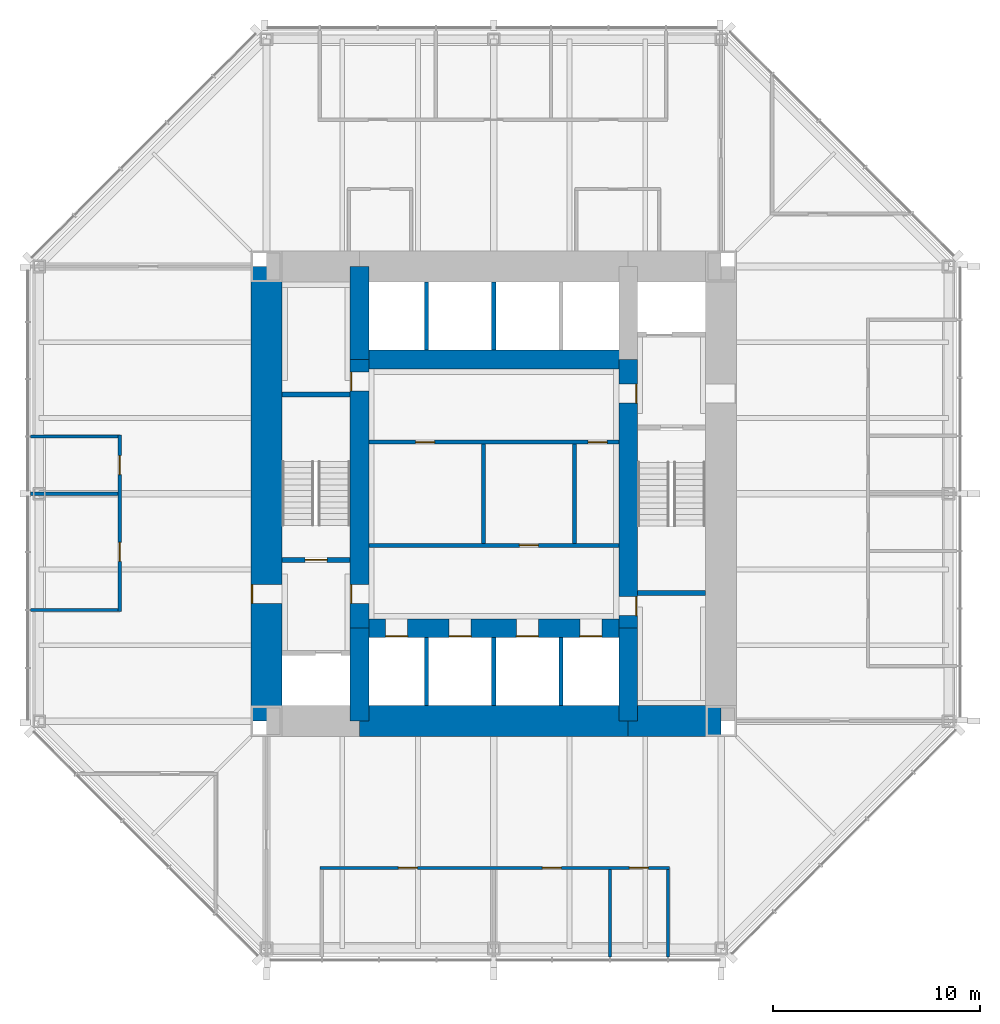
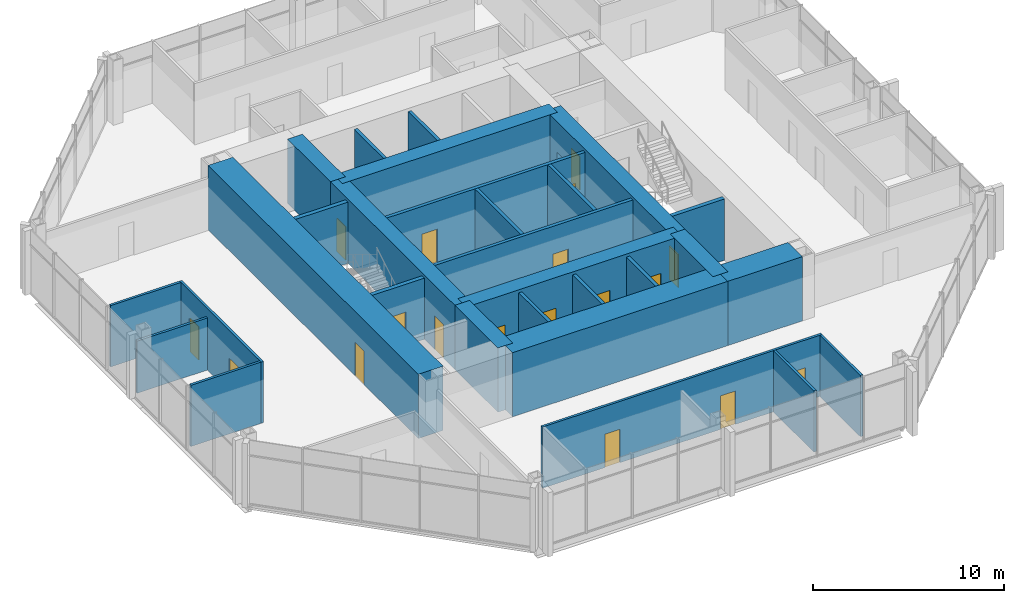
# One storey, part 9 of 12: 29 walls, 18 doors, 18 openings.
"""IFC4 building model written with IfcOpenShell, lengths in metres."""

from ifc_helpers import new_model, si_unit, direction, frame, frame_2d, origin, place, context, subcontext, project, spatial, rectangle, extrude, material, layer, layer_set, type_object, element, fill, save


model = new_model("IFC4")

# Units and contexts
model_context = context("Model", 3, precision=1e-05, world=origin(), true_north=direction((0.0, 1.0)))
body_context = subcontext(model_context, "Body", "Model", "MODEL_VIEW")
ifc_project = project(units=[si_unit("LENGTHUNIT", "METRE"), si_unit("AREAUNIT", "SQUARE_METRE"), si_unit("VOLUMEUNIT", "CUBIC_METRE"), si_unit("PLANEANGLEUNIT", "RADIAN"), si_unit("MASSUNIT", "GRAM", prefix="KILO")], contexts=[model_context])

# Site, building, storey
site_placement = place(None, origin())
site = spatial("IfcSite", under=ifc_project, at=site_placement, CompositionType="ELEMENT")
building_placement = place(site_placement, origin())
building = spatial("IfcBuilding", under=site, at=building_placement, Name="Trevanion Tower", CompositionType="ELEMENT")
storey_placement = place(building_placement, frame((0.0, 0.0, 158.199951171875)))
storey = spatial("IfcBuildingStorey", under=building, at=storey_placement, Name="L37", CompositionType="ELEMENT", Elevation=158.199951171875)

# Wall, opening, door
ifc_material_1 = material(Name="Concrete 10,000 psi", Category="concrete")
ifc_layer_1 = layer(ifc_material_1, 1.5)
ifc_layer_set_1 = layer_set([ifc_layer_1], Name="CW1 core wall 1500")
wall_type_1 = type_object("IfcWallType", Name="CW1 core wall 1500", PredefinedType="SHEAR", material=ifc_layer_set_1)
wall_1_placement = place(storey_placement, frame((-11.0, 11.0, 0.0), z_axis=(0.0, 0.0, 1.0), x_axis=(0.0, -1.0, 0.0)))
wall_1 = element("IfcWall", 1, at=wall_1_placement, inside=storey, type_object=wall_type_1, Name="CW1 CW L37", PredefinedType="SHEAR", context=body_context, shape_type="SweptSolid", body=[
    extrude(rectangle(XDim=22.0, YDim=1.5, at=frame_2d((11.0, 0.0))), origin(), (0.0, 0.0, 1.0), 4.10009765625),
])
opening_1_placement = place(wall_1_placement, frame((15.392578125, 0.0, 0.0)))
opening_1 = element("IfcOpeningElement", 2, at=opening_1_placement, cuts=wall_1, Name="Opening 37-002", PredefinedType="OPENING", context=body_context, shape_type="SweptSolid", body=[
    extrude(rectangle(XDim=0.9150390625, YDim=2.134033203125, at=frame_2d((0.45751953125, 1.06689453125))), frame((0.0, 0.760009765625, 0.0), z_axis=(0.0, -1.0, 0.0), x_axis=(1.0, 0.0, 0.0)), (0.0, 0.0, 1.0), 1.52001953125),
])
ifc_material_2 = material(Name="Hollow metal, fire rated", Category="steel")
door_type_1 = type_object("IfcDoorType", Name="D3 fire lift lobby door", OperationType="SINGLE_SWING_RIGHT", PredefinedType="DOOR", material=ifc_material_2)
door_1_placement = place(opening_1_placement, origin())
door_1 = element("IfcDoor", 3, at=door_1_placement, inside=storey, type_object=door_type_1, Name="Door 37-002", OperationType="SINGLE_SWING_RIGHT", OverallHeight=2.134033203125, OverallWidth=0.9150390625, PredefinedType="DOOR", context=body_context, shape_type="SweptSolid", body=[
    extrude(rectangle(XDim=0.9150390625, YDim=2.134033203125, at=frame_2d((0.45751953125, 1.06689453125))), frame((0.0, -0.6748046875, 0.0), z_axis=(0.0, -1.0, 0.0), x_axis=(1.0, 0.0, 0.0)), (0.0, 0.0, 1.0), 0.050048828125),
])
fill(opening_1, door_1)

# Walls
wall_2_placement = place(storey_placement, frame((-6.5, -11.0, 0.0), z_axis=(0.0, 0.0, 1.0), x_axis=(1.0, 0.0, 0.0)))
element("IfcWall", 4, at=wall_2_placement, inside=storey, type_object=wall_type_1, Name="CW1 CS2 L37", PredefinedType="SHEAR", context=body_context, shape_type="SweptSolid", body=[
    extrude(rectangle(XDim=13.0, YDim=1.5, at=frame_2d((6.5, 0.0))), origin(), (0.0, 0.0, 1.0), 4.10009765625),
])
wall_3_placement = place(storey_placement, frame((6.5, -11.0, 0.0), z_axis=(0.0, 0.0, 1.0), x_axis=(1.0, 0.0, 0.0)))
element("IfcWall", 5, at=wall_3_placement, inside=storey, type_object=wall_type_1, Name="CW1 CS3 L37", PredefinedType="SHEAR", context=body_context, shape_type="SweptSolid", body=[
    extrude(rectangle(XDim=4.5, YDim=1.5, at=frame_2d((2.25, 0.0))), origin(), (0.0, 0.0, 1.0), 4.10009765625),
])
ifc_material_3 = material(Name="Concrete 10,000 psi", Category="concrete")
ifc_layer_2 = layer(ifc_material_3, 0.89990234375)
ifc_layer_set_2 = layer_set([ifc_layer_2], Name="CW2 core wall 900")
wall_type_2 = type_object("IfcWallType", Name="CW2 core wall 900", PredefinedType="SHEAR", material=ifc_layer_set_2)
wall_4_placement = place(storey_placement, frame((6.5, -11.0, 0.0), z_axis=(0.0, 0.0, 1.0), x_axis=(0.0, 1.0, 0.0)))
element("IfcWall", 6, at=wall_4_placement, inside=storey, type_object=wall_type_2, Name="CW2 RE1 L37", PredefinedType="SHEAR", context=body_context, shape_type="SweptSolid", body=[
    extrude(rectangle(XDim=4.5, YDim=0.89990234375, at=frame_2d((2.25, 0.0))), origin(), (0.0, 0.0, 1.0), 4.10009765625),
])

# Wall, openings, doors
wall_5_placement = place(storey_placement, frame((6.5, -6.5, 0.0), z_axis=(0.0, 0.0, 1.0), x_axis=(0.0, 1.0, 0.0)))
wall_5 = element("IfcWall", 7, at=wall_5_placement, inside=storey, type_object=wall_type_2, Name="CW2 RE2 L37", PredefinedType="SHEAR", context=body_context, shape_type="SweptSolid", body=[
    extrude(rectangle(XDim=13.0, YDim=0.89990234375, at=frame_2d((6.5, 0.0))), origin(), (0.0, 0.0, 1.0), 4.10009765625),
])
opening_2_placement = place(wall_5_placement, frame((10.892578125, 0.0, 0.0)))
opening_2 = element("IfcOpeningElement", 8, at=opening_2_placement, cuts=wall_5, Name="Opening 37-003", PredefinedType="OPENING", context=body_context, shape_type="SweptSolid", body=[
    extrude(rectangle(XDim=0.9150390625, YDim=2.134033203125, at=frame_2d((0.45751953125, 1.06689453125))), frame((0.0, 0.4599609375, 0.0), z_axis=(0.0, -1.0, 0.0), x_axis=(1.0, 0.0, 0.0)), (0.0, 0.0, 1.0), 0.919921875),
])
opening_3_placement = place(wall_5_placement, frame((0.610107421875, 0.0, 0.0)))
opening_3 = element("IfcOpeningElement", 9, at=opening_3_placement, cuts=wall_5, Name="Opening 37-009", PredefinedType="OPENING", context=body_context, shape_type="SweptSolid", body=[
    extrude(rectangle(XDim=0.9150390625, YDim=2.134033203125, at=frame_2d((0.45751953125, 1.06689453125))), frame((0.0, 0.4599609375, 0.0), z_axis=(0.0, -1.0, 0.0), x_axis=(1.0, 0.0, 0.0)), (0.0, 0.0, 1.0), 0.919921875),
])
door_2_placement = place(opening_2_placement, origin())
door_2 = element("IfcDoor", 10, at=door_2_placement, inside=storey, type_object=door_type_1, Name="Door 37-003", OperationType="SINGLE_SWING_RIGHT", OverallHeight=2.134033203125, OverallWidth=0.9150390625, PredefinedType="DOOR", context=body_context, shape_type="SweptSolid", body=[
    extrude(rectangle(XDim=0.9150390625, YDim=2.134033203125, at=frame_2d((0.45751953125, 1.06689453125))), frame((0.0, -0.375, 0.0), z_axis=(0.0, -1.0, 0.0), x_axis=(1.0, 0.0, 0.0)), (0.0, 0.0, 1.0), 0.050048828125),
])
fill(opening_2, door_2)
ifc_material_4 = material(Name="Hollow metal, fire rated", Category="steel")
door_type_2 = type_object("IfcDoorType", Name="D5 service room door", OperationType="SINGLE_SWING_RIGHT", PredefinedType="DOOR", material=ifc_material_4)
door_3_placement = place(opening_3_placement, origin())
door_3 = element("IfcDoor", 11, at=door_3_placement, inside=storey, type_object=door_type_2, Name="Door 37-009", OperationType="SINGLE_SWING_RIGHT", OverallHeight=2.134033203125, OverallWidth=0.9150390625, PredefinedType="DOOR", context=body_context, shape_type="SweptSolid", body=[
    extrude(rectangle(XDim=0.9150390625, YDim=2.134033203125, at=frame_2d((0.45751953125, 1.06689453125))), frame((0.0, -0.375, 0.0), z_axis=(0.0, -1.0, 0.0), x_axis=(1.0, 0.0, 0.0)), (0.0, 0.0, 1.0), 0.050048828125),
])
fill(opening_3, door_3)

# Wall
wall_6_placement = place(storey_placement, frame((-6.5, 11.0, 0.0), z_axis=(0.0, 0.0, 1.0), x_axis=(0.0, -1.0, 0.0)))
element("IfcWall", 12, at=wall_6_placement, inside=storey, type_object=wall_type_2, Name="CW2 RW1 L37", PredefinedType="SHEAR", context=body_context, shape_type="SweptSolid", body=[
    extrude(rectangle(XDim=4.5, YDim=0.89990234375, at=frame_2d((2.25, 0.0))), origin(), (0.0, 0.0, 1.0), 4.10009765625),
])

# Wall, openings, doors
wall_7_placement = place(storey_placement, frame((-6.5, 6.5, 0.0), z_axis=(0.0, 0.0, 1.0), x_axis=(0.0, -1.0, 0.0)))
wall_7 = element("IfcWall", 13, at=wall_7_placement, inside=storey, type_object=wall_type_2, Name="CW2 RW2 L37", PredefinedType="SHEAR", context=body_context, shape_type="SweptSolid", body=[
    extrude(rectangle(XDim=13.0, YDim=0.89990234375, at=frame_2d((6.5, 0.0))), origin(), (0.0, 0.0, 1.0), 4.10009765625),
])
opening_4_placement = place(wall_7_placement, frame((10.892578125, 0.0, 0.0)))
opening_4 = element("IfcOpeningElement", 14, at=opening_4_placement, cuts=wall_7, Name="Opening 37-004", PredefinedType="OPENING", context=body_context, shape_type="SweptSolid", body=[
    extrude(rectangle(XDim=0.9150390625, YDim=2.134033203125, at=frame_2d((0.45751953125, 1.06689453125))), frame((0.0, 0.4599609375, 0.0), z_axis=(0.0, -1.0, 0.0), x_axis=(1.0, 0.0, 0.0)), (0.0, 0.0, 1.0), 0.919921875),
])
opening_5_placement = place(wall_7_placement, frame((0.610107421875, 0.0, 0.0)))
opening_5 = element("IfcOpeningElement", 15, at=opening_5_placement, cuts=wall_7, Name="Opening 37-010", PredefinedType="OPENING", context=body_context, shape_type="SweptSolid", body=[
    extrude(rectangle(XDim=0.9150390625, YDim=2.134033203125, at=frame_2d((0.45751953125, 1.06689453125))), frame((0.0, 0.4599609375, 0.0), z_axis=(0.0, -1.0, 0.0), x_axis=(1.0, 0.0, 0.0)), (0.0, 0.0, 1.0), 0.919921875),
])
door_4_placement = place(opening_4_placement, origin())
door_4 = element("IfcDoor", 16, at=door_4_placement, inside=storey, type_object=door_type_1, Name="Door 37-004", OperationType="SINGLE_SWING_RIGHT", OverallHeight=2.134033203125, OverallWidth=0.9150390625, PredefinedType="DOOR", context=body_context, shape_type="SweptSolid", body=[
    extrude(rectangle(XDim=0.9150390625, YDim=2.134033203125, at=frame_2d((0.45751953125, 1.06689453125))), frame((0.0, -0.375, 0.0), z_axis=(0.0, -1.0, 0.0), x_axis=(1.0, 0.0, 0.0)), (0.0, 0.0, 1.0), 0.050048828125),
])
fill(opening_4, door_4)
door_5_placement = place(opening_5_placement, origin())
door_5 = element("IfcDoor", 17, at=door_5_placement, inside=storey, type_object=door_type_2, Name="Door 37-010", OperationType="SINGLE_SWING_RIGHT", OverallHeight=2.134033203125, OverallWidth=0.9150390625, PredefinedType="DOOR", context=body_context, shape_type="SweptSolid", body=[
    extrude(rectangle(XDim=0.9150390625, YDim=2.134033203125, at=frame_2d((0.45751953125, 1.06689453125))), frame((0.0, -0.375, 0.0), z_axis=(0.0, -1.0, 0.0), x_axis=(1.0, 0.0, 0.0)), (0.0, 0.0, 1.0), 0.050048828125),
])
fill(opening_5, door_5)

# Walls
wall_8_placement = place(storey_placement, frame((-6.5, -6.5, 0.0), z_axis=(0.0, 0.0, 1.0), x_axis=(0.0, -1.0, 0.0)))
element("IfcWall", 18, at=wall_8_placement, inside=storey, type_object=wall_type_2, Name="CW2 RW3 L37", PredefinedType="SHEAR", context=body_context, shape_type="SweptSolid", body=[
    extrude(rectangle(XDim=4.5, YDim=0.89990234375, at=frame_2d((2.25, 0.0))), origin(), (0.0, 0.0, 1.0), 4.10009765625),
])
wall_9_placement = place(storey_placement, frame((6.5, 6.5, 0.0), z_axis=(0.0, 0.0, 1.0), x_axis=(-1.0, 0.0, 0.0)))
element("IfcWall", 19, at=wall_9_placement, inside=storey, type_object=wall_type_2, Name="CW2 RN L37", PredefinedType="SHEAR", context=body_context, shape_type="SweptSolid", body=[
    extrude(rectangle(XDim=13.0, YDim=0.89990234375, at=frame_2d((6.5, 0.0))), origin(), (0.0, 0.0, 1.0), 4.10009765625),
])

# Wall, openings, doors
wall_10_placement = place(storey_placement, frame((-6.5, -6.5, 0.0), z_axis=(0.0, 0.0, 1.0), x_axis=(1.0, 0.0, 0.0)))
wall_10 = element("IfcWall", 20, at=wall_10_placement, inside=storey, type_object=wall_type_2, Name="CW2 RS L37", PredefinedType="SHEAR", context=body_context, shape_type="SweptSolid", body=[
    extrude(rectangle(XDim=13.0, YDim=0.89990234375, at=frame_2d((6.5, 0.0))), origin(), (0.0, 0.0, 1.0), 4.10009765625),
])
opening_6_placement = place(wall_10_placement, frame((1.2666015625, 0.0, 0.0)))
opening_6 = element("IfcOpeningElement", 21, at=opening_6_placement, cuts=wall_10, Name="Opening 37-011", PredefinedType="OPENING", context=body_context, shape_type="SweptSolid", body=[
    extrude(rectangle(XDim=1.06689453125, YDim=2.134033203125, at=frame_2d((0.533447265625, 1.06689453125))), frame((0.0, 0.4599609375, 0.0), z_axis=(0.0, -1.0, 0.0), x_axis=(1.0, 0.0, 0.0)), (0.0, 0.0, 1.0), 0.919921875),
])
opening_7_placement = place(wall_10_placement, frame((4.341552734375, 0.0, 0.0)))
opening_7 = element("IfcOpeningElement", 22, at=opening_7_placement, cuts=wall_10, Name="Opening 37-012", PredefinedType="OPENING", context=body_context, shape_type="SweptSolid", body=[
    extrude(rectangle(XDim=1.06689453125, YDim=2.134033203125, at=frame_2d((0.533447265625, 1.06689453125))), frame((0.0, 0.4599609375, 0.0), z_axis=(0.0, -1.0, 0.0), x_axis=(1.0, 0.0, 0.0)), (0.0, 0.0, 1.0), 0.919921875),
])
opening_8_placement = place(wall_10_placement, frame((7.591552734375, 0.0, 0.0)))
opening_8 = element("IfcOpeningElement", 23, at=opening_8_placement, cuts=wall_10, Name="Opening 37-013", PredefinedType="OPENING", context=body_context, shape_type="SweptSolid", body=[
    extrude(rectangle(XDim=1.06689453125, YDim=2.134033203125, at=frame_2d((0.533447265625, 1.06689453125))), frame((0.0, 0.4599609375, 0.0), z_axis=(0.0, -1.0, 0.0), x_axis=(1.0, 0.0, 0.0)), (0.0, 0.0, 1.0), 0.919921875),
])
opening_9_placement = place(wall_10_placement, frame((10.66650390625, 0.0, 0.0)))
opening_9 = element("IfcOpeningElement", 24, at=opening_9_placement, cuts=wall_10, Name="Opening 37-014", PredefinedType="OPENING", context=body_context, shape_type="SweptSolid", body=[
    extrude(rectangle(XDim=1.06689453125, YDim=2.134033203125, at=frame_2d((0.533447265625, 1.06689453125))), frame((0.0, 0.4599609375, 0.0), z_axis=(0.0, -1.0, 0.0), x_axis=(1.0, 0.0, 0.0)), (0.0, 0.0, 1.0), 0.919921875),
])
ifc_material_5 = material(Name="Stainless steel, fire rated", Category="steel")
door_type_3 = type_object("IfcDoorType", Name="LD1 lift landing door", OperationType="SLIDING_TO_LEFT", PredefinedType="DOOR", material=ifc_material_5)
door_6_placement = place(opening_6_placement, origin())
door_6 = element("IfcDoor", 25, at=door_6_placement, inside=storey, type_object=door_type_3, Name="Door 37-011", OperationType="SLIDING_TO_LEFT", OverallHeight=2.134033203125, OverallWidth=1.06689453125, PredefinedType="DOOR", context=body_context, shape_type="SweptSolid", body=[
    extrude(rectangle(XDim=1.06689453125, YDim=2.134033203125, at=frame_2d((0.533447265625, 1.06689453125))), frame((0.0, -0.375, 0.0), z_axis=(0.0, -1.0, 0.0), x_axis=(1.0, 0.0, 0.0)), (0.0, 0.0, 1.0), 0.050048828125),
])
fill(opening_6, door_6)
door_7_placement = place(opening_7_placement, origin())
door_7 = element("IfcDoor", 26, at=door_7_placement, inside=storey, type_object=door_type_3, Name="Door 37-012", OperationType="SLIDING_TO_LEFT", OverallHeight=2.134033203125, OverallWidth=1.06689453125, PredefinedType="DOOR", context=body_context, shape_type="SweptSolid", body=[
    extrude(rectangle(XDim=1.06689453125, YDim=2.134033203125, at=frame_2d((0.533447265625, 1.06689453125))), frame((0.0, -0.375, 0.0), z_axis=(0.0, -1.0, 0.0), x_axis=(1.0, 0.0, 0.0)), (0.0, 0.0, 1.0), 0.050048828125),
])
fill(opening_7, door_7)
door_8_placement = place(opening_8_placement, origin())
door_8 = element("IfcDoor", 27, at=door_8_placement, inside=storey, type_object=door_type_3, Name="Door 37-013", OperationType="SLIDING_TO_LEFT", OverallHeight=2.134033203125, OverallWidth=1.06689453125, PredefinedType="DOOR", context=body_context, shape_type="SweptSolid", body=[
    extrude(rectangle(XDim=1.06689453125, YDim=2.134033203125, at=frame_2d((0.533447265625, 1.06689453125))), frame((0.0, -0.375, 0.0), z_axis=(0.0, -1.0, 0.0), x_axis=(1.0, 0.0, 0.0)), (0.0, 0.0, 1.0), 0.050048828125),
])
fill(opening_8, door_8)
door_9_placement = place(opening_9_placement, origin())
door_9 = element("IfcDoor", 28, at=door_9_placement, inside=storey, type_object=door_type_3, Name="Door 37-014", OperationType="SLIDING_TO_LEFT", OverallHeight=2.134033203125, OverallWidth=1.06689453125, PredefinedType="DOOR", context=body_context, shape_type="SweptSolid", body=[
    extrude(rectangle(XDim=1.06689453125, YDim=2.134033203125, at=frame_2d((0.533447265625, 1.06689453125))), frame((0.0, -0.375, 0.0), z_axis=(0.0, -1.0, 0.0), x_axis=(1.0, 0.0, 0.0)), (0.0, 0.0, 1.0), 0.050048828125),
])
fill(opening_9, door_9)

ifc_material_6 = material(Name="Gypsum board on steel studs", Category="steel")
ifc_layer_3 = layer(ifc_material_6, 0.14990234375)
ifc_layer_set_3 = layer_set([ifc_layer_3], Name="PT1 partition 150")
wall_type_3 = type_object("IfcWallType", Name="PT1 partition 150", PredefinedType="PARTITIONING", material=ifc_layer_set_3)
wall_11_placement = place(storey_placement, frame((-8.39794921875, -18.10009765625, 0.0), z_axis=(0.0, 0.0, 1.0), x_axis=(1.0, 0.0, 0.0)))
wall_11 = element("IfcWall", 29, at=wall_11_placement, inside=storey, type_object=wall_type_3, Name="PT1 L37 FC3F", PredefinedType="PARTITIONING", context=body_context, shape_type="SweptSolid", body=[
    extrude(rectangle(XDim=16.89404296875, YDim=0.14990234375, at=frame_2d((8.447021484375, 0.0))), origin(), (0.0, 0.0, 1.0), 3.91015625),
])
opening_10_placement = place(wall_11_placement, frame((3.779052734375, 0.0, 0.0)))
opening_10 = element("IfcOpeningElement", 30, at=opening_10_placement, cuts=wall_11, Name="Opening 37-027", PredefinedType="OPENING", context=body_context, shape_type="SweptSolid", body=[
    extrude(rectangle(XDim=0.9150390625, YDim=2.134033203125, at=frame_2d((0.45751953125, 1.06689453125))), frame((0.0, 0.0849609375, 0.0), z_axis=(0.0, -1.0, 0.0), x_axis=(1.0, 0.0, 0.0)), (0.0, 0.0, 1.0), 0.169921875),
])
opening_11_placement = place(wall_11_placement, frame((10.74755859375, 0.0, 0.0)))
opening_11 = element("IfcOpeningElement", 31, at=opening_11_placement, cuts=wall_11, Name="Opening 37-028", PredefinedType="OPENING", context=body_context, shape_type="SweptSolid", body=[
    extrude(rectangle(XDim=0.9150390625, YDim=2.134033203125, at=frame_2d((0.45751953125, 1.06689453125))), frame((0.0, 0.0849609375, 0.0), z_axis=(0.0, -1.0, 0.0), x_axis=(1.0, 0.0, 0.0)), (0.0, 0.0, 1.0), 0.169921875),
])
opening_12_placement = place(wall_11_placement, frame((14.9580078125, 0.0, 0.0)))
opening_12 = element("IfcOpeningElement", 32, at=opening_12_placement, cuts=wall_11, Name="Opening 37-029", PredefinedType="OPENING", context=body_context, shape_type="SweptSolid", body=[
    extrude(rectangle(XDim=0.9150390625, YDim=2.134033203125, at=frame_2d((0.45751953125, 1.06689453125))), frame((0.0, 0.0849609375, 0.0), z_axis=(0.0, -1.0, 0.0), x_axis=(1.0, 0.0, 0.0)), (0.0, 0.0, 1.0), 0.169921875),
])
ifc_material_7 = material(Name="Timber veneer, solid core", Category="wood")
door_type_4 = type_object("IfcDoorType", Name="D1 office and meeting room door", OperationType="SINGLE_SWING_LEFT", PredefinedType="DOOR", material=ifc_material_7)
door_10_placement = place(opening_10_placement, origin())
door_10 = element("IfcDoor", 33, at=door_10_placement, inside=storey, type_object=door_type_4, Name="Door 37-027", OperationType="SINGLE_SWING_LEFT", OverallHeight=2.134033203125, OverallWidth=0.9150390625, PredefinedType="DOOR", context=body_context, shape_type="SweptSolid", body=[
    extrude(rectangle(XDim=0.9150390625, YDim=2.134033203125, at=frame_2d((0.45751953125, 1.06689453125))), frame((0.0, 0.02490234375, 0.0), z_axis=(0.0, -1.0, 0.0), x_axis=(1.0, 0.0, 0.0)), (0.0, 0.0, 1.0), 0.050048828125),
])
fill(opening_10, door_10)
door_11_placement = place(opening_11_placement, origin())
door_11 = element("IfcDoor", 34, at=door_11_placement, inside=storey, type_object=door_type_4, Name="Door 37-028", OperationType="SINGLE_SWING_LEFT", OverallHeight=2.134033203125, OverallWidth=0.9150390625, PredefinedType="DOOR", context=body_context, shape_type="SweptSolid", body=[
    extrude(rectangle(XDim=0.9150390625, YDim=2.134033203125, at=frame_2d((0.45751953125, 1.06689453125))), frame((0.0, 0.02490234375, 0.0), z_axis=(0.0, -1.0, 0.0), x_axis=(1.0, 0.0, 0.0)), (0.0, 0.0, 1.0), 0.050048828125),
])
fill(opening_11, door_11)
door_12_placement = place(opening_12_placement, origin())
door_12 = element("IfcDoor", 35, at=door_12_placement, inside=storey, type_object=door_type_4, Name="Door 37-029", OperationType="SINGLE_SWING_LEFT", OverallHeight=2.134033203125, OverallWidth=0.9150390625, PredefinedType="DOOR", context=body_context, shape_type="SweptSolid", body=[
    extrude(rectangle(XDim=0.9150390625, YDim=2.134033203125, at=frame_2d((0.45751953125, 1.06689453125))), frame((0.0, 0.02490234375, 0.0), z_axis=(0.0, -1.0, 0.0), x_axis=(1.0, 0.0, 0.0)), (0.0, 0.0, 1.0), 0.050048828125),
])
fill(opening_12, door_12)

# Walls
for number, where, z_axis, x_axis, name in (
    (36, (5.614013671875, -18.175048828125, 0.0), (0.0, 0.0, 1.0), (0.0, -1.0, 0.0), "PT1 L37 FC3S5"),
    (37, (8.4208984375, -18.175048828125, 0.0), (0.0, 0.0, 1.0), (0.0, -1.0, 0.0), "PT1 L37 FC3S6"),
):
    element("IfcWall", number, at=place(storey_placement, frame(where, z_axis=z_axis, x_axis=x_axis)), inside=storey, type_object=wall_type_3, Name=name, PredefinedType="PARTITIONING", context=body_context, shape_type="SweptSolid", body=[
        extrude(rectangle(XDim=4.239990234375, YDim=0.14990234375, at=frame_2d((2.1201171875, 0.0))), origin(), (0.0, 0.0, 1.0), 3.91015625),
    ])

# Wall, openings, doors
wall_12_placement = place(storey_placement, frame((-18.10009765625, 2.85009765625, 0.0), z_axis=(0.0, 0.0, 1.0), x_axis=(0.0, -1.0, 0.0)))
wall_12 = element("IfcWall", 38, at=wall_12_placement, inside=storey, type_object=wall_type_3, Name="PT1 L37 FC2F", PredefinedType="PARTITIONING", context=body_context, shape_type="SweptSolid", body=[
    extrude(rectangle(XDim=8.5390625, YDim=0.14990234375, at=frame_2d((4.26953125, 0.0))), origin(), (0.0, 0.0, 1.0), 3.91015625),
])
opening_13_placement = place(wall_12_placement, frame((1.0048828125, 0.0, 0.0)))
opening_13 = element("IfcOpeningElement", 39, at=opening_13_placement, cuts=wall_12, Name="Opening 37-034", PredefinedType="OPENING", context=body_context, shape_type="SweptSolid", body=[
    extrude(rectangle(XDim=0.9150390625, YDim=2.134033203125, at=frame_2d((0.45751953125, 1.06689453125))), frame((0.0, 0.0849609375, 0.0), z_axis=(0.0, -1.0, 0.0), x_axis=(1.0, 0.0, 0.0)), (0.0, 0.0, 1.0), 0.169921875),
])
opening_14_placement = place(wall_12_placement, frame((5.199462890625, 0.0, 0.0)))
opening_14 = element("IfcOpeningElement", 40, at=opening_14_placement, cuts=wall_12, Name="Opening 37-035", PredefinedType="OPENING", context=body_context, shape_type="SweptSolid", body=[
    extrude(rectangle(XDim=0.9150390625, YDim=2.134033203125, at=frame_2d((0.45751953125, 1.06689453125))), frame((0.0, 0.0849609375, 0.0), z_axis=(0.0, -1.0, 0.0), x_axis=(1.0, 0.0, 0.0)), (0.0, 0.0, 1.0), 0.169921875),
])
door_13_placement = place(opening_13_placement, origin())
door_13 = element("IfcDoor", 41, at=door_13_placement, inside=storey, type_object=door_type_4, Name="Door 37-034", OperationType="SINGLE_SWING_LEFT", OverallHeight=2.134033203125, OverallWidth=0.9150390625, PredefinedType="DOOR", context=body_context, shape_type="SweptSolid", body=[
    extrude(rectangle(XDim=0.9150390625, YDim=2.134033203125, at=frame_2d((0.45751953125, 1.06689453125))), frame((0.0, 0.02490234375, 0.0), z_axis=(0.0, -1.0, 0.0), x_axis=(1.0, 0.0, 0.0)), (0.0, 0.0, 1.0), 0.050048828125),
])
fill(opening_13, door_13)
door_14_placement = place(opening_14_placement, origin())
door_14 = element("IfcDoor", 42, at=door_14_placement, inside=storey, type_object=door_type_4, Name="Door 37-035", OperationType="SINGLE_SWING_LEFT", OverallHeight=2.134033203125, OverallWidth=0.9150390625, PredefinedType="DOOR", context=body_context, shape_type="SweptSolid", body=[
    extrude(rectangle(XDim=0.9150390625, YDim=2.134033203125, at=frame_2d((0.45751953125, 1.06689453125))), frame((0.0, 0.02490234375, 0.0), z_axis=(0.0, -1.0, 0.0), x_axis=(1.0, 0.0, 0.0)), (0.0, 0.0, 1.0), 0.050048828125),
])
fill(opening_14, door_14)

# Walls
wall_13_placement = place(storey_placement, frame((-18.175048828125, 2.77490234375, 0.0), z_axis=(0.0, 0.0, 1.0), x_axis=(-1.0, 0.0, 0.0)))
element("IfcWall", 43, at=wall_13_placement, inside=storey, type_object=wall_type_3, Name="PT1 L37 FC2S0", PredefinedType="PARTITIONING", context=body_context, shape_type="SweptSolid", body=[
    extrude(rectangle(XDim=4.239990234375, YDim=0.14990234375, at=frame_2d((2.1201171875, 0.0))), origin(), (0.0, 0.0, 1.0), 3.91015625),
])
wall_14_placement = place(storey_placement, frame((-18.175048828125, 0.0, 0.0), z_axis=(0.0, 0.0, 1.0), x_axis=(-1.0, 0.0, 0.0)))
element("IfcWall", 44, at=wall_14_placement, inside=storey, type_object=wall_type_3, Name="PT1 L37 FC2S1", PredefinedType="PARTITIONING", context=body_context, shape_type="SweptSolid", body=[
    extrude(rectangle(XDim=4.239990234375, YDim=0.14990234375, at=frame_2d((2.1201171875, 0.0))), origin(), (0.0, 0.0, 1.0), 3.325927734375),
])
wall_15_placement = place(storey_placement, frame((-18.175048828125, -5.614013671875, 0.0), z_axis=(0.0, 0.0, 1.0), x_axis=(-1.0, 0.0, 0.0)))
element("IfcWall", 45, at=wall_15_placement, inside=storey, type_object=wall_type_3, Name="PT1 L37 FC2S3", PredefinedType="PARTITIONING", context=body_context, shape_type="SweptSolid", body=[
    extrude(rectangle(XDim=4.239990234375, YDim=0.14990234375, at=frame_2d((2.1201171875, 0.0))), origin(), (0.0, 0.0, 1.0), 3.91015625),
])
ifc_material_8 = material(Name="Concrete masonry, grouted", Category="masonry")
ifc_layer_4 = layer(ifc_material_8, 0.199951171875)
ifc_layer_set_4 = layer_set([ifc_layer_4], Name="PT2 partition 200")
wall_type_4 = type_object("IfcWallType", Name="PT2 partition 200", PredefinedType="PARTITIONING", material=ifc_layer_set_4)
for number, where, z_axis, x_axis, name in (
    (46, (-0.5, -2.39990234375, 0.0), (0.0, 0.0, 1.0), (0.0, 1.0, 0.0), "PT2 L37 TP1"),
    (47, (3.89990234375, -2.39990234375, 0.0), (0.0, 0.0, 1.0), (0.0, 1.0, 0.0), "PT2 L37 TP2"),
):
    element("IfcWall", number, at=place(storey_placement, frame(where, z_axis=z_axis, x_axis=x_axis)), inside=storey, type_object=wall_type_4, Name=name, PredefinedType="PARTITIONING", context=body_context, shape_type="SweptSolid", body=[
        extrude(rectangle(XDim=4.7998046875, YDim=0.199951171875, at=frame_2d((2.39990234375, 0.0))), origin(), (0.0, 0.0, 1.0), 3.91015625),
    ])

# Wall, openings, doors
ifc_material_9 = material(Name="Concrete masonry, grouted", Category="masonry")
ifc_layer_5 = layer(ifc_material_9, 0.199951171875)
ifc_layer_set_5 = layer_set([ifc_layer_5], Name="PT2 partition 200 1 HR")
wall_type_5 = type_object("IfcWallType", Name="PT2 partition 200 1 HR", PredefinedType="PARTITIONING", material=ifc_layer_set_5)
wall_16_placement = place(storey_placement, frame((-6.050048828125, 2.5, 0.0), z_axis=(0.0, 0.0, 1.0), x_axis=(1.0, 0.0, 0.0)))
wall_16 = element("IfcWall", 48, at=wall_16_placement, inside=storey, type_object=wall_type_5, Name="PT2 L37 CP1", PredefinedType="PARTITIONING", context=body_context, shape_type="SweptSolid", body=[
    extrude(rectangle(XDim=12.10009765625, YDim=0.199951171875, at=frame_2d((6.050048828125, 0.0))), origin(), (0.0, 0.0, 1.0), 3.91015625),
])
opening_15_placement = place(wall_16_placement, frame((2.267578125, 0.0, 0.0)))
opening_15 = element("IfcOpeningElement", 49, at=opening_15_placement, cuts=wall_16, Name="Opening 37-015", PredefinedType="OPENING", context=body_context, shape_type="SweptSolid", body=[
    extrude(rectangle(XDim=0.9150390625, YDim=2.134033203125, at=frame_2d((0.45751953125, 1.06689453125))), frame((0.0, 0.10986328125, 0.0), z_axis=(0.0, -1.0, 0.0), x_axis=(1.0, 0.0, 0.0)), (0.0, 0.0, 1.0), 0.219970703125),
])
opening_16_placement = place(wall_16_placement, frame((10.617431640625, 0.0, 0.0)))
opening_16 = element("IfcOpeningElement", 50, at=opening_16_placement, cuts=wall_16, Name="Opening 37-017", PredefinedType="OPENING", context=body_context, shape_type="SweptSolid", body=[
    extrude(rectangle(XDim=0.9150390625, YDim=2.134033203125, at=frame_2d((0.45751953125, 1.06689453125))), frame((0.0, 0.10986328125, 0.0), z_axis=(0.0, -1.0, 0.0), x_axis=(1.0, 0.0, 0.0)), (0.0, 0.0, 1.0), 0.219970703125),
])
ifc_material_10 = material(Name="Plastic laminate on fire-rated core", Category="wood")
door_type_5 = type_object("IfcDoorType", Name="D12 toilet door in a one hour wall", OperationType="SINGLE_SWING_LEFT", PredefinedType="DOOR", material=ifc_material_10)
door_15_placement = place(opening_15_placement, origin())
door_15 = element("IfcDoor", 51, at=door_15_placement, inside=storey, type_object=door_type_5, Name="Door 37-015", OperationType="SINGLE_SWING_LEFT", OverallHeight=2.134033203125, OverallWidth=0.9150390625, PredefinedType="DOOR", context=body_context, shape_type="SweptSolid", body=[
    extrude(rectangle(XDim=0.9150390625, YDim=2.134033203125, at=frame_2d((0.45751953125, 1.06689453125))), frame((0.0, 0.02490234375, 0.0), z_axis=(0.0, -1.0, 0.0), x_axis=(1.0, 0.0, 0.0)), (0.0, 0.0, 1.0), 0.050048828125),
])
fill(opening_15, door_15)
door_16_placement = place(opening_16_placement, origin())
door_16 = element("IfcDoor", 52, at=door_16_placement, inside=storey, type_object=door_type_5, Name="Door 37-017", OperationType="SINGLE_SWING_LEFT", OverallHeight=2.134033203125, OverallWidth=0.9150390625, PredefinedType="DOOR", context=body_context, shape_type="SweptSolid", body=[
    extrude(rectangle(XDim=0.9150390625, YDim=2.134033203125, at=frame_2d((0.45751953125, 1.06689453125))), frame((0.0, 0.02490234375, 0.0), z_axis=(0.0, -1.0, 0.0), x_axis=(1.0, 0.0, 0.0)), (0.0, 0.0, 1.0), 0.050048828125),
])
fill(opening_16, door_16)

# Wall, opening, door
wall_17_placement = place(storey_placement, frame((6.050048828125, -2.5, 0.0), z_axis=(0.0, 0.0, 1.0), x_axis=(-1.0, 0.0, 0.0)))
wall_17 = element("IfcWall", 53, at=wall_17_placement, inside=storey, type_object=wall_type_5, Name="PT2 L37 CP2", PredefinedType="PARTITIONING", context=body_context, shape_type="SweptSolid", body=[
    extrude(rectangle(XDim=12.10009765625, YDim=0.199951171875, at=frame_2d((6.050048828125, 0.0))), origin(), (0.0, 0.0, 1.0), 3.91015625),
])
opening_17_placement = place(wall_17_placement, frame((3.892578125, 0.0, 0.0)))
opening_17 = element("IfcOpeningElement", 54, at=opening_17_placement, cuts=wall_17, Name="Opening 37-016", PredefinedType="OPENING", context=body_context, shape_type="SweptSolid", body=[
    extrude(rectangle(XDim=0.9150390625, YDim=2.134033203125, at=frame_2d((0.45751953125, 1.06689453125))), frame((0.0, 0.10986328125, 0.0), z_axis=(0.0, -1.0, 0.0), x_axis=(1.0, 0.0, 0.0)), (0.0, 0.0, 1.0), 0.219970703125),
])
door_17_placement = place(opening_17_placement, origin())
door_17 = element("IfcDoor", 55, at=door_17_placement, inside=storey, type_object=door_type_5, Name="Door 37-016", OperationType="SINGLE_SWING_LEFT", OverallHeight=2.134033203125, OverallWidth=0.9150390625, PredefinedType="DOOR", context=body_context, shape_type="SweptSolid", body=[
    extrude(rectangle(XDim=0.9150390625, YDim=2.134033203125, at=frame_2d((0.45751953125, 1.06689453125))), frame((0.0, 0.02490234375, 0.0), z_axis=(0.0, -1.0, 0.0), x_axis=(1.0, 0.0, 0.0)), (0.0, 0.0, 1.0), 0.050048828125),
])
fill(opening_17, door_17)

# Walls
ifc_material_11 = material(Name="Concrete masonry, grouted", Category="masonry")
ifc_layer_6 = layer(ifc_material_11, 0.199951171875)
ifc_layer_set_6 = layer_set([ifc_layer_6], Name="PT2 partition 200 2 HR")
wall_type_6 = type_object("IfcWallType", Name="PT2 partition 200 2 HR", PredefinedType="PARTITIONING", material=ifc_layer_set_6)
for number, where, z_axis, x_axis, name in (
    (56, (-3.25, 6.949951171875, 0.0), (0.0, 0.0, 1.0), (0.0, 1.0, 0.0), "PT2 L37 NS0"),
    (57, (0.0, 6.949951171875, 0.0), (0.0, 0.0, 1.0), (0.0, 1.0, 0.0), "PT2 L37 NS1"),
    (58, (-3.25, -10.25, 0.0), (0.0, 0.0, 1.0), (0.0, 1.0, 0.0), "PT2 L37 SS0"),
    (59, (0.0, -10.25, 0.0), (0.0, 0.0, 1.0), (0.0, 1.0, 0.0), "PT2 L37 SS1"),
    (60, (3.25, -10.25, 0.0), (0.0, 0.0, 1.0), (0.0, 1.0, 0.0), "PT2 L37 SS2"),
):
    element("IfcWall", number, at=place(storey_placement, frame(where, z_axis=z_axis, x_axis=x_axis)), inside=storey, type_object=wall_type_6, Name=name, PredefinedType="PARTITIONING", context=body_context, shape_type="SweptSolid", body=[
        extrude(rectangle(XDim=3.300048828125, YDim=0.199951171875, at=frame_2d((1.64990234375, 0.0))), origin(), (0.0, 0.0, 1.0), 3.91015625),
    ])
ifc_material_12 = material(Name="Reinforced masonry, fully grouted", Category="masonry")
ifc_layer_7 = layer(ifc_material_12, 0.25)
ifc_layer_set_7 = layer_set([ifc_layer_7], Name="SW1 stair shaft wall 250")
wall_type_7 = type_object("IfcWallType", Name="SW1 stair shaft wall 250", PredefinedType="SOLIDWALL", material=ifc_layer_set_7)
for number, where, z_axis, x_axis, name in (
    (61, (6.949951171875, -4.800048828125, 0.0), (0.0, 0.0, 1.0), (1.0, 0.0, 0.0), "SW1 L37 EP1"),
    (62, (-6.949951171875, 4.800048828125, 0.0), (0.0, 0.0, 1.0), (-1.0, 0.0, 0.0), "SW1 L37 WP1"),
):
    element("IfcWall", number, at=place(storey_placement, frame(where, z_axis=z_axis, x_axis=x_axis)), inside=storey, type_object=wall_type_7, Name=name, PredefinedType="SOLIDWALL", context=body_context, shape_type="SweptSolid", body=[
        extrude(rectangle(XDim=3.300048828125, YDim=0.25, at=frame_2d((1.64990234375, 0.0))), origin(), (0.0, 0.0, 1.0), 3.91015625),
    ])

# Wall, opening, door
wall_18_placement = place(storey_placement, frame((-6.949951171875, -3.199951171875, 0.0), z_axis=(0.0, 0.0, 1.0), x_axis=(-1.0, 0.0, 0.0)))
wall_18 = element("IfcWall", 63, at=wall_18_placement, inside=storey, type_object=wall_type_7, Name="SW1 L37 WP2", PredefinedType="SOLIDWALL", context=body_context, shape_type="SweptSolid", body=[
    extrude(rectangle(XDim=3.300048828125, YDim=0.25, at=frame_2d((1.64990234375, 0.0))), origin(), (0.0, 0.0, 1.0), 3.91015625),
])
opening_18_placement = place(wall_18_placement, frame((1.116455078125, 0.0, 0.0)))
opening_18 = element("IfcOpeningElement", 64, at=opening_18_placement, cuts=wall_18, Name="Opening 37-006", PredefinedType="OPENING", context=body_context, shape_type="SweptSolid", body=[
    extrude(rectangle(XDim=1.06689453125, YDim=2.134033203125, at=frame_2d((0.533447265625, 1.06689453125))), frame((0.0, 0.135009765625, 0.0), z_axis=(0.0, -1.0, 0.0), x_axis=(1.0, 0.0, 0.0)), (0.0, 0.0, 1.0), 0.27001953125),
])
ifc_material_13 = material(Name="Hollow metal, fire rated", Category="steel")
door_type_6 = type_object("IfcDoorType", Name="D2 exit stair door", OperationType="SINGLE_SWING_LEFT", PredefinedType="DOOR", material=ifc_material_13)
door_18_placement = place(opening_18_placement, origin())
door_18 = element("IfcDoor", 65, at=door_18_placement, inside=storey, type_object=door_type_6, Name="Door 37-006", OperationType="SINGLE_SWING_LEFT", OverallHeight=2.134033203125, OverallWidth=1.06689453125, PredefinedType="DOOR", context=body_context, shape_type="SweptSolid", body=[
    extrude(rectangle(XDim=1.06689453125, YDim=2.134033203125, at=frame_2d((0.533447265625, 1.06689453125))), frame((0.0, 0.02490234375, 0.0), z_axis=(0.0, -1.0, 0.0), x_axis=(1.0, 0.0, 0.0)), (0.0, 0.0, 1.0), 0.050048828125),
])
fill(opening_18, door_18)

save(model, "model.ifc")
